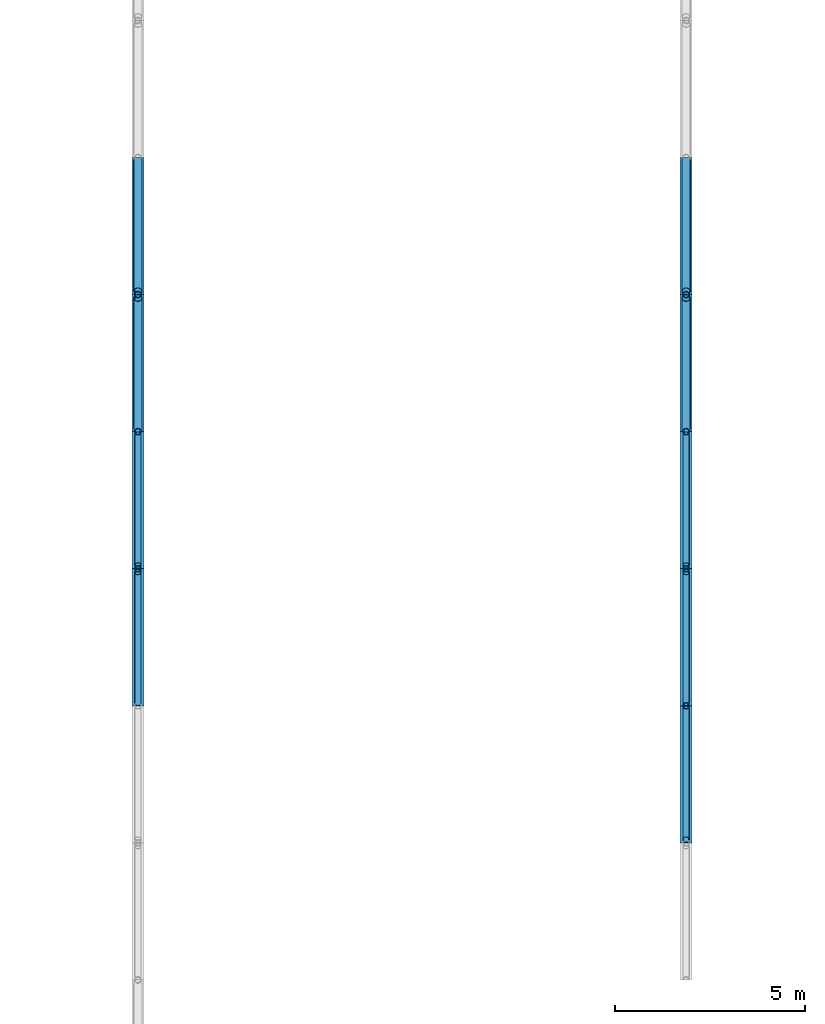
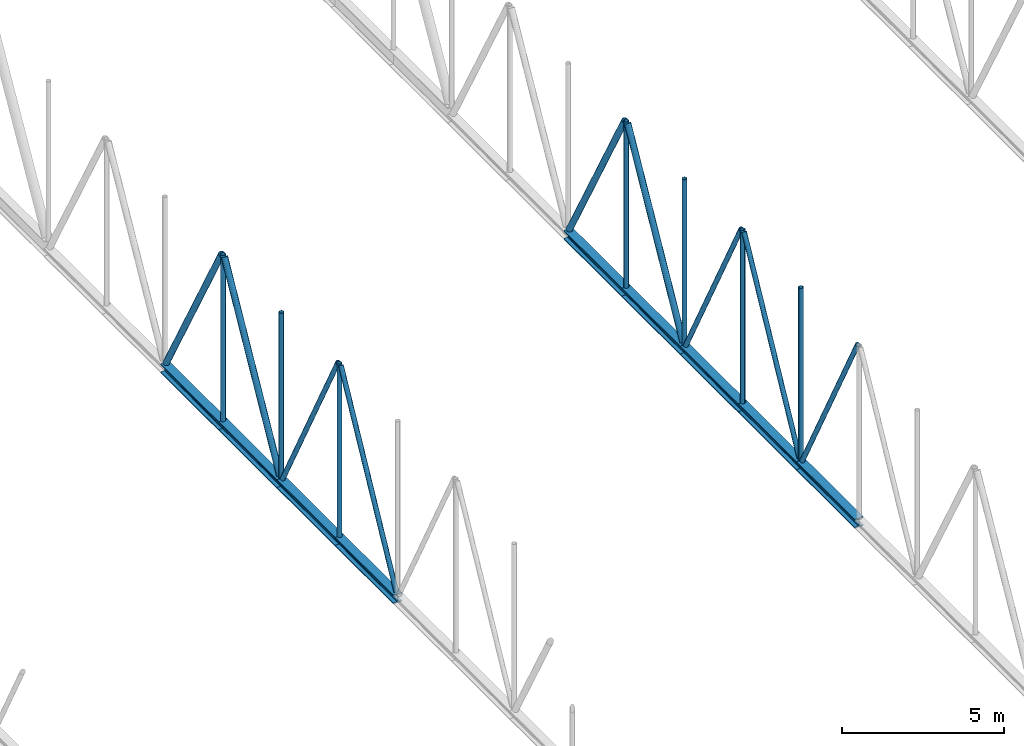
# One storey, part 41 of 142: 25 members.
"""IFC4 building model written with IfcOpenShell, lengths in metres."""

from ifc_helpers import new_model, si_unit, direction, frame, origin, origin_2d, place, context, subcontext, project, spatial, hollow_circle, i_section, extrude, material, material_profile, profile_set, type_object, element, save


model = new_model("IFC4")

# Units and contexts
model_context = context("Model", 3, precision=1e-05, world=origin(), true_north=direction((0.0, 1.0)))
body_context = subcontext(model_context, "Body", "Model", "MODEL_VIEW")
ifc_project = project(units=[si_unit("LENGTHUNIT", "METRE"), si_unit("AREAUNIT", "SQUARE_METRE"), si_unit("VOLUMEUNIT", "CUBIC_METRE"), si_unit("PLANEANGLEUNIT", "RADIAN"), si_unit("MASSUNIT", "GRAM", prefix="KILO")], contexts=[model_context])

# Site, building, storey
site_placement = place(None, origin())
site = spatial("IfcSite", under=ifc_project, at=site_placement, CompositionType="ELEMENT")
building_placement = place(site_placement, origin())
building = spatial("IfcBuilding", under=site, at=building_placement, Name="Kupolbacken Congress Centre", CompositionType="ELEMENT")
storey_placement = place(building_placement, frame((0.0, 0.0, 14.39990234375)))
storey = spatial("IfcBuildingStorey", under=building, at=storey_placement, Name="L04", CompositionType="ELEMENT", Elevation=14.39990234375)

# Members
ifc_material_1 = material(Name="Steel S355", Category="steel")
ifc_material_profile_1 = material_profile(ifc_material_1, i_section(OverallWidth=0.31005859375, OverallDepth=0.340087890625, WebThickness=0.02099609375, FlangeThickness=0.0390625, FilletRadius=0.027099609375, at=origin_2d()), Name="HEM 300")
ifc_profile_set_1 = profile_set([ifc_material_profile_1], Name="Steel S355")
member_type_1 = type_object("IfcMemberType", Name="M01 transfer truss chord HEM 300", PredefinedType="CHORD", material=ifc_profile_set_1)
member_1_placement = place(storey_placement, frame((108.0, 79.199951171875, 0.16015625), z_axis=(0.0, 1.0, 0.0), x_axis=(-1.0, 0.0, 0.0)))
element("IfcMember", 1, at=member_1_placement, inside=storey, type_object=member_type_1, Name="HT/T2/BC11", PredefinedType="CHORD", context=body_context, shape_type="SweptSolid", body=[
    extrude(i_section(OverallWidth=0.31005859375, OverallDepth=0.340087890625, WebThickness=0.02099609375, FlangeThickness=0.0390625, FilletRadius=0.027099609375, at=origin_2d()), origin(), (0.0, 0.0, 1.0), 3.60009765625),
])
member_2_placement = place(storey_placement, frame((108.0, 82.800048828125, 0.16015625), z_axis=(0.0, 1.0, 0.0), x_axis=(-1.0, 0.0, 0.0)))
element("IfcMember", 2, at=member_2_placement, inside=storey, type_object=member_type_1, Name="HT/T2/BC12", PredefinedType="CHORD", context=body_context, shape_type="SweptSolid", body=[
    extrude(i_section(OverallWidth=0.31005859375, OverallDepth=0.340087890625, WebThickness=0.02099609375, FlangeThickness=0.0390625, FilletRadius=0.027099609375, at=origin_2d()), origin(), (0.0, 0.0, 1.0), 3.599853515625),
])
for number, where, z_axis, x_axis, name in (
    (3, (108.0, 86.39990234375, 0.16015625), (0.0, 1.0, 0.0), (-1.0, 0.0, 0.0), "HT/T2/BC13"),
    (4, (108.0, 90.0, 0.16015625), (0.0, 1.0, 0.0), (-1.0, 0.0, 0.0), "HT/T2/BC14"),
):
    element("IfcMember", number, at=place(storey_placement, frame(where, z_axis=z_axis, x_axis=x_axis)), inside=storey, type_object=member_type_1, Name=name, PredefinedType="CHORD", context=body_context, shape_type="SweptSolid", body=[
        extrude(i_section(OverallWidth=0.31005859375, OverallDepth=0.340087890625, WebThickness=0.02099609375, FlangeThickness=0.0390625, FilletRadius=0.027099609375, at=origin_2d()), origin(), (0.0, 0.0, 1.0), 3.60009765625),
    ])
member_3_placement = place(storey_placement, frame((122.39990234375, 75.60009765625, 0.16015625), z_axis=(0.0, 1.0, 0.0), x_axis=(-1.0, 0.0, 0.0)))
element("IfcMember", 5, at=member_3_placement, inside=storey, type_object=member_type_1, Name="HT/T3/BC10", PredefinedType="CHORD", context=body_context, shape_type="SweptSolid", body=[
    extrude(i_section(OverallWidth=0.31005859375, OverallDepth=0.340087890625, WebThickness=0.02099609375, FlangeThickness=0.0390625, FilletRadius=0.027099609375, at=origin_2d()), origin(), (0.0, 0.0, 1.0), 3.599853515625),
])
member_4_placement = place(storey_placement, frame((122.39990234375, 79.199951171875, 0.16015625), z_axis=(0.0, 1.0, 0.0), x_axis=(-1.0, 0.0, 0.0)))
element("IfcMember", 6, at=member_4_placement, inside=storey, type_object=member_type_1, Name="HT/T3/BC11", PredefinedType="CHORD", context=body_context, shape_type="SweptSolid", body=[
    extrude(i_section(OverallWidth=0.31005859375, OverallDepth=0.340087890625, WebThickness=0.02099609375, FlangeThickness=0.0390625, FilletRadius=0.027099609375, at=origin_2d()), origin(), (0.0, 0.0, 1.0), 3.60009765625),
])
member_5_placement = place(storey_placement, frame((122.39990234375, 82.800048828125, 0.16015625), z_axis=(0.0, 1.0, 0.0), x_axis=(-1.0, 0.0, 0.0)))
element("IfcMember", 7, at=member_5_placement, inside=storey, type_object=member_type_1, Name="HT/T3/BC12", PredefinedType="CHORD", context=body_context, shape_type="SweptSolid", body=[
    extrude(i_section(OverallWidth=0.31005859375, OverallDepth=0.340087890625, WebThickness=0.02099609375, FlangeThickness=0.0390625, FilletRadius=0.027099609375, at=origin_2d()), origin(), (0.0, 0.0, 1.0), 3.599853515625),
])
for number, where, z_axis, x_axis, name in (
    (8, (122.39990234375, 86.39990234375, 0.16015625), (0.0, 1.0, 0.0), (-1.0, 0.0, 0.0), "HT/T3/BC13"),
    (9, (122.39990234375, 90.0, 0.16015625), (0.0, 1.0, 0.0), (-1.0, 0.0, 0.0), "HT/T3/BC14"),
):
    element("IfcMember", number, at=place(storey_placement, frame(where, z_axis=z_axis, x_axis=x_axis)), inside=storey, type_object=member_type_1, Name=name, PredefinedType="CHORD", context=body_context, shape_type="SweptSolid", body=[
        extrude(i_section(OverallWidth=0.31005859375, OverallDepth=0.340087890625, WebThickness=0.02099609375, FlangeThickness=0.0390625, FilletRadius=0.027099609375, at=origin_2d()), origin(), (0.0, 0.0, 1.0), 3.60009765625),
    ])
ifc_material_2 = material(Name="Steel S355", Category="steel")
ifc_material_profile_2 = material_profile(ifc_material_2, hollow_circle(Radius=0.109619140625, WallThickness=0.010009765625, at=origin_2d()), Name="CHS 219.1 x 10")
ifc_profile_set_2 = profile_set([ifc_material_profile_2], Name="Steel S355")
member_type_2 = type_object("IfcMemberType", Name="M05 transfer truss web CHS 219.1 x 10", PredefinedType="BRACE", material=ifc_profile_set_2)
for number, where, z_axis, x_axis, name in (
    (10, (108.0, 86.484130859375, 0.372802734375), (0.0, 0.48517101949, 0.874419282637), (-1.0, 0.0, 0.0), "HT/T2/D13"),
    (11, (108.0, 90.084228515625, 6.5576171875), (0.0, 0.48517101949, -0.874419282637), (-1.0, 0.0, 0.0), "HT/T2/D14"),
    (12, (122.39990234375, 86.484130859375, 0.372802734375), (0.0, 0.48517101949, 0.874419282637), (-1.0, 0.0, 0.0), "HT/T3/D13"),
    (13, (122.39990234375, 90.084228515625, 6.5576171875), (0.0, 0.48517101949, -0.874419282637), (-1.0, 0.0, 0.0), "HT/T3/D14"),
):
    element("IfcMember", number, at=place(storey_placement, frame(where, z_axis=z_axis, x_axis=x_axis)), inside=storey, type_object=member_type_2, Name=name, PredefinedType="BRACE", context=body_context, shape_type="SweptSolid", body=[
        extrude(hollow_circle(Radius=0.109619140625, WallThickness=0.010009765625, at=origin_2d()), origin(), (0.0, 0.0, 1.0), 7.072998046875),
    ])
ifc_material_3 = material(Name="Steel S355", Category="steel")
ifc_material_profile_3 = material_profile(ifc_material_3, hollow_circle(Radius=0.084228515625, WallThickness=0.008056640625, at=origin_2d()), Name="CHS 168.3 x 8")
ifc_profile_set_3 = profile_set([ifc_material_profile_3], Name="Steel S355")
member_type_3 = type_object("IfcMemberType", Name="M06 transfer truss web CHS 168.3 x 8", PredefinedType="BRACE", material=ifc_profile_set_3)
for number, where, z_axis, x_axis, name in (
    (14, (108.0, 79.2841796875, 0.359130859375), (0.0, 0.468455727838, 0.883486972771), (-1.0, 0.0, 0.0), "HT/T2/D11"),
    (15, (108.0, 82.884033203125, 6.8310546875), (0.0, 0.468481741227, -0.88347317907), (-1.0, 0.0, 0.0), "HT/T2/D12"),
    (16, (122.39990234375, 75.68408203125, 6.8310546875), (0.0, 0.468481741227, -0.88347317907), (-1.0, 0.0, 0.0), "HT/T3/D10"),
    (17, (122.39990234375, 79.2841796875, 0.359130859375), (0.0, 0.468455727838, 0.883486972771), (-1.0, 0.0, 0.0), "HT/T3/D11"),
    (18, (122.39990234375, 82.884033203125, 6.8310546875), (0.0, 0.468481741227, -0.88347317907), (-1.0, 0.0, 0.0), "HT/T3/D12"),
):
    element("IfcMember", number, at=place(storey_placement, frame(where, z_axis=z_axis, x_axis=x_axis)), inside=storey, type_object=member_type_3, Name=name, PredefinedType="BRACE", context=body_context, shape_type="SweptSolid", body=[
        extrude(hollow_circle(Radius=0.084228515625, WallThickness=0.008056640625, at=origin_2d()), origin(), (0.0, 0.0, 1.0), 7.325439453125),
    ])
ifc_material_4 = material(Name="Steel S355", Category="steel")
ifc_material_profile_4 = material_profile(ifc_material_4, hollow_circle(Radius=0.084228515625, WallThickness=0.008056640625, at=origin_2d()), Name="CHS 168.3 x 8")
ifc_profile_set_4 = profile_set([ifc_material_profile_4], Name="Steel S355")
member_type_4 = type_object("IfcMemberType", Name="M20 transfer truss post CHS 168.3 x 8", PredefinedType="STRUT", material=ifc_profile_set_4)
member_6_placement = place(storey_placement, frame((108.0, 82.800048828125, 0.320068359375), z_axis=(0.0, 0.0, 1.0), x_axis=(0.0, 1.0, 0.0)))
element("IfcMember", 19, at=member_6_placement, inside=storey, type_object=member_type_4, Name="HT/T2/P11", PredefinedType="STRUT", context=body_context, shape_type="SweptSolid", body=[
    extrude(hollow_circle(Radius=0.084228515625, WallThickness=0.008056640625, at=origin_2d()), origin(), (0.0, 0.0, 1.0), 6.550048828125),
])
for number, where, z_axis, x_axis, name in (
    (20, (108.0, 86.39990234375, 0.320068359375), (0.0, 0.0, 1.0), (0.0, 1.0, 0.0), "HT/T2/P12"),
    (21, (108.0, 90.0, 0.320068359375), (0.0, 0.0, 1.0), (0.0, 1.0, 0.0), "HT/T2/P13"),
):
    element("IfcMember", number, at=place(storey_placement, frame(where, z_axis=z_axis, x_axis=x_axis)), inside=storey, type_object=member_type_4, Name=name, PredefinedType="STRUT", context=body_context, shape_type="SweptSolid", body=[
        extrude(hollow_circle(Radius=0.084228515625, WallThickness=0.008056640625, at=origin_2d()), origin(), (0.0, 0.0, 1.0), 6.2900390625),
    ])
for number, where, z_axis, x_axis, name in (
    (22, (122.39990234375, 79.199951171875, 0.320068359375), (0.0, 0.0, 1.0), (0.0, 1.0, 0.0), "HT/T3/P10"),
    (23, (122.39990234375, 82.800048828125, 0.320068359375), (0.0, 0.0, 1.0), (0.0, 1.0, 0.0), "HT/T3/P11"),
):
    element("IfcMember", number, at=place(storey_placement, frame(where, z_axis=z_axis, x_axis=x_axis)), inside=storey, type_object=member_type_4, Name=name, PredefinedType="STRUT", context=body_context, shape_type="SweptSolid", body=[
        extrude(hollow_circle(Radius=0.084228515625, WallThickness=0.008056640625, at=origin_2d()), origin(), (0.0, 0.0, 1.0), 6.550048828125),
    ])
for number, where, z_axis, x_axis, name in (
    (24, (122.39990234375, 86.39990234375, 0.320068359375), (0.0, 0.0, 1.0), (0.0, 1.0, 0.0), "HT/T3/P12"),
    (25, (122.39990234375, 90.0, 0.320068359375), (0.0, 0.0, 1.0), (0.0, 1.0, 0.0), "HT/T3/P13"),
):
    element("IfcMember", number, at=place(storey_placement, frame(where, z_axis=z_axis, x_axis=x_axis)), inside=storey, type_object=member_type_4, Name=name, PredefinedType="STRUT", context=body_context, shape_type="SweptSolid", body=[
        extrude(hollow_circle(Radius=0.084228515625, WallThickness=0.008056640625, at=origin_2d()), origin(), (0.0, 0.0, 1.0), 6.2900390625),
    ])

save(model, "model.ifc")
